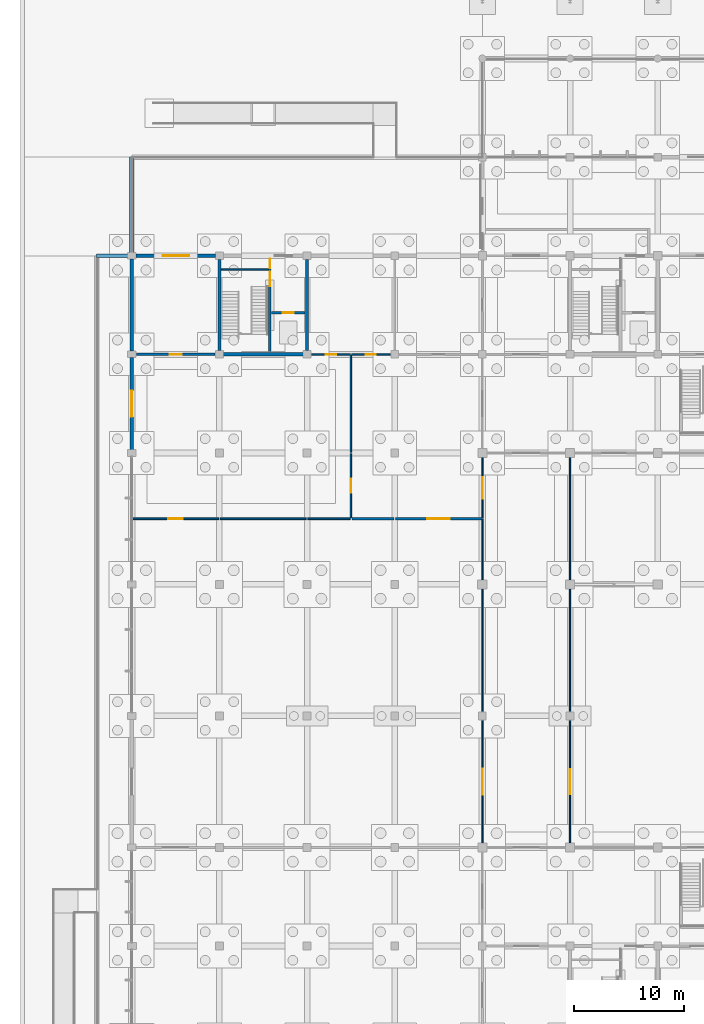
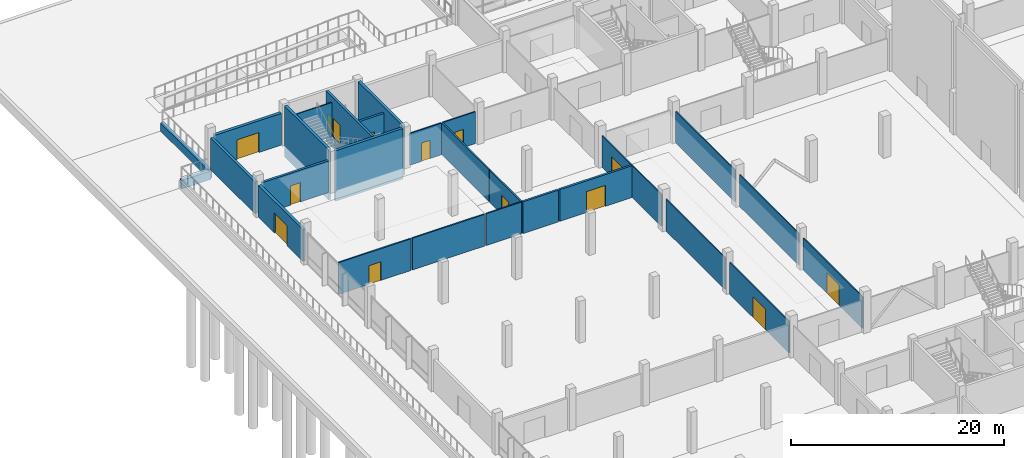
# One storey, part 47 of 72: 28 walls, 14 doors, 14 openings.
"""IFC4 building model written with IfcOpenShell, lengths in metres."""

from ifc_helpers import new_model, si_unit, direction, frame, frame_2d, origin, place, context, subcontext, project, spatial, rectangle, extrude, material, layer, layer_set, type_object, element, fill, save


model = new_model("IFC4")

# Units and contexts
model_context = context("Model", 3, precision=1e-05, world=origin(), true_north=direction((0.0, 1.0)))
body_context = subcontext(model_context, "Body", "Model", "MODEL_VIEW")
ifc_project = project(units=[si_unit("LENGTHUNIT", "METRE"), si_unit("AREAUNIT", "SQUARE_METRE"), si_unit("VOLUMEUNIT", "CUBIC_METRE"), si_unit("PLANEANGLEUNIT", "RADIAN"), si_unit("MASSUNIT", "GRAM", prefix="KILO"), si_unit("THERMODYNAMICTEMPERATUREUNIT", "KELVIN"), si_unit("POWERUNIT", "WATT")], contexts=[model_context])

# Site, building, storey
site_placement = place(None, origin())
site = spatial("IfcSite", under=ifc_project, at=site_placement, CompositionType="ELEMENT")
building_placement = place(site_placement, origin())
building = spatial("IfcBuilding", under=site, at=building_placement, Name="Kronsvod Quay Wholesale Market", CompositionType="ELEMENT")
storey_placement = place(building_placement, origin())
storey = spatial("IfcBuildingStorey", under=building, at=storey_placement, Name="L00", CompositionType="ELEMENT", Elevation=0.0)

# Walls
ifc_material_1 = material(Name="Concrete C35/45", Category="concrete")
ifc_layer_1 = layer(ifc_material_1, 0.300048828125)
ifc_layer_set_1 = layer_set([ifc_layer_1], Name="Concrete C35/45")
wall_type_1 = type_object("IfcWallType", Name="Wall_CoreShear300", PredefinedType="SHEAR", material=ifc_layer_set_1)
wall_1_placement = place(storey_placement, frame((8.344970703125, 99.0, -1.25), z_axis=(0.0, 0.0, 1.0), x_axis=(1.0, 0.0, 0.0)))
element("IfcWall", 1, at=wall_1_placement, inside=storey, type_object=wall_type_1, Name="CW-C02-L00-S", PredefinedType="SHEAR", context=body_context, shape_type="SweptSolid", body=[
    extrude(rectangle(XDim=7.31005859375, YDim=0.300048828125, at=frame_2d((3.655029296875, 0.0))), origin(), (0.0, 0.0, 1.0), 5.804931640625),
])
for number, where, z_axis, x_axis, name in (
    (2, (8.0, 99.344970703125, -1.25), (0.0, 0.0, 1.0), (0.0, 1.0, 0.0), "CW-C02-L00-W"),
    (3, (16.0, 99.344970703125, -1.25), (0.0, 0.0, 1.0), (0.0, 1.0, 0.0), "CW-C02-L00-E"),
):
    element("IfcWall", number, at=place(storey_placement, frame(where, z_axis=z_axis, x_axis=x_axis)), inside=storey, type_object=wall_type_1, Name=name, PredefinedType="SHEAR", context=body_context, shape_type="SweptSolid", body=[
        extrude(rectangle(XDim=8.31005859375, YDim=0.300048828125, at=frame_2d((4.155029296875, 0.0))), origin(), (0.0, 0.0, 1.0), 5.804931640625),
    ])

# Wall, opening, door
ifc_material_2 = material(Name="Precast concrete C40/50", Category="concrete")
ifc_layer_2 = layer(ifc_material_2, 0.300048828125)
ifc_layer_set_2 = layer_set([ifc_layer_2], Name="Precast concrete C40/50")
wall_type_2 = type_object("IfcWallType", Name="Wall_ExtPrecast300", PredefinedType="SOLIDWALL", material=ifc_layer_set_2)
wall_2_placement = place(storey_placement, frame((0.0, 98.705078125, 0.0), z_axis=(0.0, 0.0, 1.0), x_axis=(0.0, -1.0, 0.0)))
wall_2 = element("IfcWall", 4, at=wall_2_placement, inside=storey, type_object=wall_type_2, Name="EW-Y-L00-0018", PredefinedType="SOLIDWALL", context=body_context, shape_type="SweptSolid", body=[
    extrude(rectangle(XDim=8.41015625, YDim=0.300048828125, at=frame_2d((4.205078125, 0.0))), origin(), (0.0, 0.0, 1.0), 3.64990234375),
])
opening_1_placement = place(wall_2_placement, frame((3.0048828125, 0.0, 0.0)))
opening_1 = element("IfcOpeningElement", 5, at=opening_1_placement, cuts=wall_2, Name="Opening ED-013", PredefinedType="OPENING", context=body_context, shape_type="SweptSolid", body=[
    extrude(rectangle(XDim=2.39990234375, YDim=2.300048828125, at=frame_2d((1.199951171875, 1.14990234375))), frame((0.0, 0.16015625, 0.0), z_axis=(0.0, -1.0, 0.0), x_axis=(1.0, 0.0, 0.0)), (0.0, 0.0, 1.0), 0.320068359375),
])
ifc_material_3 = material(Name="Aluminium and safety glass", Category="aluminium")
door_type_1 = type_object("IfcDoorType", Name="Door_ExitDouble240x230", OperationType="DOUBLE_DOOR_SINGLE_SWING", PredefinedType="DOOR", material=ifc_material_3)
door_1_placement = place(opening_1_placement, frame((2.39990234375, 0.0, 0.0), z_axis=(0.0, 0.0, 1.0), x_axis=(-1.0, 0.0, 0.0)))
door_1 = element("IfcDoor", 6, at=door_1_placement, inside=storey, type_object=door_type_1, Name="Street Exit Door ED-013", OperationType="DOUBLE_DOOR_SINGLE_SWING", OverallHeight=2.300048828125, OverallWidth=2.39990234375, PredefinedType="DOOR", context=body_context, shape_type="SweptSolid", body=[
    extrude(rectangle(XDim=2.39990234375, YDim=2.300048828125, at=frame_2d((1.199951171875, 1.14990234375))), frame((0.0, 0.02490234375, 0.0), z_axis=(0.0, -1.0, 0.0), x_axis=(1.0, 0.0, 0.0)), (0.0, 0.0, 1.0), 0.050048828125),
])
fill(opening_1, door_1)

# Wall
wall_3_placement = place(storey_placement, frame((0.0, 107.705078125, 0.0), z_axis=(0.0, 0.0, 1.0), x_axis=(0.0, -1.0, 0.0)))
element("IfcWall", 7, at=wall_3_placement, inside=storey, type_object=wall_type_2, Name="EW-Y-L00-0019", PredefinedType="SOLIDWALL", context=body_context, shape_type="SweptSolid", body=[
    extrude(rectangle(XDim=8.41015625, YDim=0.300048828125, at=frame_2d((4.205078125, 0.0))), origin(), (0.0, 0.0, 1.0), 3.64990234375),
])

# Wall, opening, door
ifc_material_4 = material(Name="Precast concrete C40/50", Category="concrete")
ifc_layer_3 = layer(ifc_material_4, 0.320068359375)
ifc_layer_set_3 = layer_set([ifc_layer_3], Name="Precast concrete C40/50")
wall_type_3 = type_object("IfcWallType", Name="Wall_ExtPrecast320", PredefinedType="SOLIDWALL", material=ifc_layer_set_3)
wall_4_placement = place(storey_placement, frame((7.655029296875, 108.0, 0.0), z_axis=(0.0, 0.0, 1.0), x_axis=(-1.0, 0.0, 0.0)))
wall_4 = element("IfcWall", 8, at=wall_4_placement, inside=storey, type_object=wall_type_3, Name="EW-X-L00-0009", PredefinedType="SOLIDWALL", context=body_context, shape_type="SweptSolid", body=[
    extrude(rectangle(XDim=7.260009765625, YDim=0.320068359375, at=frame_2d((3.6298828125, 0.0))), origin(), (0.0, 0.0, 1.0), 3.64990234375),
])
opening_2_placement = place(wall_4_placement, frame((2.429931640625, 0.0, 0.0)))
opening_2 = element("IfcOpeningElement", 9, at=opening_2_placement, cuts=wall_4, Name="Opening ED-009", PredefinedType="OPENING", context=body_context, shape_type="SweptSolid", body=[
    extrude(rectangle(XDim=2.39990234375, YDim=2.300048828125, at=frame_2d((1.199951171875, 1.14990234375))), frame((0.0, 0.169921875, 0.0), z_axis=(0.0, -1.0, 0.0), x_axis=(1.0, 0.0, 0.0)), (0.0, 0.0, 1.0), 0.340087890625),
])
door_2_placement = place(opening_2_placement, frame((2.39990234375, 0.0, 0.0), z_axis=(0.0, 0.0, 1.0), x_axis=(-1.0, 0.0, 0.0)))
door_2 = element("IfcDoor", 10, at=door_2_placement, inside=storey, type_object=door_type_1, Name="Promenade Exit Door ED-009", OperationType="DOUBLE_DOOR_SINGLE_SWING", OverallHeight=2.300048828125, OverallWidth=2.39990234375, PredefinedType="DOOR", context=body_context, shape_type="SweptSolid", body=[
    extrude(rectangle(XDim=2.39990234375, YDim=2.300048828125, at=frame_2d((1.199951171875, 1.14990234375))), frame((0.0, 0.02490234375, 0.0), z_axis=(0.0, -1.0, 0.0), x_axis=(1.0, 0.0, 0.0)), (0.0, 0.0, 1.0), 0.050048828125),
])
fill(opening_2, door_2)

# Wall
ifc_material_5 = material(Name="Concrete C35/45", Category="concrete")
ifc_layer_4 = layer(ifc_material_5, 0.219970703125)
ifc_layer_set_4 = layer_set([ifc_layer_4], Name="Concrete C35/45")
wall_type_4 = type_object("IfcWallType", Name="Wall_FireComp220", PredefinedType="SOLIDWALL", material=ifc_layer_set_4)
wall_5_placement = place(storey_placement, frame((20.080078125, 84.0, 0.0), z_axis=(0.0, 0.0, 1.0), x_axis=(1.0, 0.0, 0.0)))
element("IfcWall", 11, at=wall_5_placement, inside=storey, type_object=wall_type_4, Name="PW-L00-0018", PredefinedType="SOLIDWALL", context=body_context, shape_type="SweptSolid", body=[
    extrude(rectangle(XDim=3.83984375, YDim=0.219970703125, at=frame_2d((1.919921875, 0.0))), origin(), (0.0, 0.0, 1.0), 3.64990234375),
])

# Wall, opening, door
wall_6_placement = place(storey_placement, frame((24.080078125, 84.0, 0.0), z_axis=(0.0, 0.0, 1.0), x_axis=(1.0, 0.0, 0.0)))
wall_6 = element("IfcWall", 12, at=wall_6_placement, inside=storey, type_object=wall_type_4, Name="PW-L00-0019", PredefinedType="SOLIDWALL", context=body_context, shape_type="SweptSolid", body=[
    extrude(rectangle(XDim=7.85986328125, YDim=0.219970703125, at=frame_2d((3.929931640625, 0.0))), origin(), (0.0, 0.0, 1.0), 3.64990234375),
])
opening_3_placement = place(wall_6_placement, frame((2.905029296875, 0.0, 0.0)))
opening_3 = element("IfcOpeningElement", 13, at=opening_3_placement, cuts=wall_6, Name="Opening D-0136", PredefinedType="OPENING", context=body_context, shape_type="SweptSolid", body=[
    extrude(rectangle(XDim=2.050048828125, YDim=2.39990234375, at=frame_2d((1.02490234375, 1.199951171875))), frame((0.0, 0.1201171875, 0.0), z_axis=(0.0, -1.0, 0.0), x_axis=(1.0, 0.0, 0.0)), (0.0, 0.0, 1.0), 0.239990234375),
])
ifc_material_6 = material(Name="Impact-protected warehouse double door", Category="steel")
door_type_2 = type_object("IfcDoorType", Name="Door_Sorting205x240", OperationType="DOUBLE_DOOR_SINGLE_SWING", PredefinedType="DOOR", material=ifc_material_6)
door_3_placement = place(opening_3_placement, origin())
door_3 = element("IfcDoor", 14, at=door_3_placement, inside=storey, type_object=door_type_2, Name="Interior Door D-0136", OperationType="DOUBLE_DOOR_SINGLE_SWING", OverallHeight=2.39990234375, OverallWidth=2.050048828125, PredefinedType="DOOR", context=body_context, shape_type="SweptSolid", body=[
    extrude(rectangle(XDim=2.050048828125, YDim=2.39990234375, at=frame_2d((1.02490234375, 1.199951171875))), frame((0.0, 0.02490234375, 0.0), z_axis=(0.0, -1.0, 0.0), x_axis=(1.0, 0.0, 0.0)), (0.0, 0.0, 1.0), 0.050048828125),
])
fill(opening_3, door_3)

ifc_material_7 = material(Name="Concrete C35/45", Category="concrete")
ifc_layer_5 = layer(ifc_material_7, 0.25)
ifc_layer_set_5 = layer_set([ifc_layer_5], Name="Concrete C35/45")
wall_type_5 = type_object("IfcWallType", Name="Wall_FireComp250", PredefinedType="SOLIDWALL", material=ifc_layer_set_5)
wall_7_placement = place(storey_placement, frame((0.419921875, 99.0, 0.0), z_axis=(0.0, 0.0, 1.0), x_axis=(1.0, 0.0, 0.0)))
wall_7 = element("IfcWall", 15, at=wall_7_placement, inside=storey, type_object=wall_type_5, Name="PW-L00-0025", PredefinedType="SOLIDWALL", context=body_context, shape_type="SweptSolid", body=[
    extrude(rectangle(XDim=7.16015625, YDim=0.25, at=frame_2d((3.580078125, 0.0))), origin(), (0.0, 0.0, 1.0), 3.64990234375),
])
opening_4_placement = place(wall_7_placement, frame((3.030029296875, 0.0, 0.0)))
opening_4 = element("IfcOpeningElement", 16, at=opening_4_placement, cuts=wall_7, Name="Opening D-0139", PredefinedType="OPENING", context=body_context, shape_type="SweptSolid", body=[
    extrude(rectangle(XDim=1.10009765625, YDim=2.219970703125, at=frame_2d((0.550048828125, 1.10986328125))), frame((0.0, 0.135009765625, 0.0), z_axis=(0.0, -1.0, 0.0), x_axis=(1.0, 0.0, 0.0)), (0.0, 0.0, 1.0), 0.27001953125),
])
ifc_material_8 = material(Name="Fire-rated steel command room door", Category="steel")
door_type_3 = type_object("IfcDoorType", Name="Door_FireCmd110x222", OperationType="NOTDEFINED", PredefinedType="DOOR", material=ifc_material_8)
door_4_placement = place(opening_4_placement, origin())
door_4 = element("IfcDoor", 17, at=door_4_placement, inside=storey, type_object=door_type_3, Name="Interior Door D-0139", OperationType="SINGLE_SWING_LEFT", OverallHeight=2.219970703125, OverallWidth=1.10009765625, PredefinedType="DOOR", context=body_context, shape_type="SweptSolid", body=[
    extrude(rectangle(XDim=1.10009765625, YDim=2.219970703125, at=frame_2d((0.550048828125, 1.10986328125))), frame((0.0, 0.02490234375, 0.0), z_axis=(0.0, -1.0, 0.0), x_axis=(1.0, 0.0, 0.0)), (0.0, 0.0, 1.0), 0.050048828125),
])
fill(opening_4, door_4)

ifc_material_9 = material(Name="Double-glazed gallery screen partition", Category="glass")
ifc_layer_6 = layer(ifc_material_9, 0.10791015625)
ifc_layer_set_6 = layer_set([ifc_layer_6], Name="Double-glazed gallery screen partition")
wall_type_6 = type_object("IfcWallType", Name="Wall_PartGlazed108", PredefinedType="PARTITIONING", material=ifc_layer_set_6)
wall_8_placement = place(storey_placement, frame((40.0, 54.419921875, 0.0), z_axis=(0.0, 0.0, 1.0), x_axis=(0.0, 1.0, 0.0)))
wall_8 = element("IfcWall", 18, at=wall_8_placement, inside=storey, type_object=wall_type_6, Name="PW-L00-0085", PredefinedType="PARTITIONING", context=body_context, shape_type="SweptSolid", body=[
    extrude(rectangle(XDim=11.16015625, YDim=0.10791015625, at=frame_2d((5.580078125, 0.0))), origin(), (0.0, 0.0, 1.0), 3.64990234375),
])
opening_5_placement = place(wall_8_placement, frame((4.455078125, 0.0, 0.0)))
opening_5 = element("IfcOpeningElement", 19, at=opening_5_placement, cuts=wall_8, Name="Opening D-0174", PredefinedType="OPENING", context=body_context, shape_type="SweptSolid", body=[
    extrude(rectangle(XDim=2.25, YDim=2.3798828125, at=frame_2d((1.125, 1.18994140625))), frame((0.0, 0.06396484375, 0.0), z_axis=(0.0, -1.0, 0.0), x_axis=(1.0, 0.0, 0.0)), (0.0, 0.0, 1.0), 0.1279296875),
])
ifc_material_10 = material(Name="Glazed aluminium hall portal", Category="aluminium")
door_type_4 = type_object("IfcDoorType", Name="Door_HallPortal225x238", OperationType="DOUBLE_DOOR_SINGLE_SWING", PredefinedType="DOOR", material=ifc_material_10)
door_5_placement = place(opening_5_placement, origin())
door_5 = element("IfcDoor", 20, at=door_5_placement, inside=storey, type_object=door_type_4, Name="Interior Door D-0174", OperationType="DOUBLE_DOOR_SINGLE_SWING", OverallHeight=2.3798828125, OverallWidth=2.25, PredefinedType="DOOR", context=body_context, shape_type="SweptSolid", body=[
    extrude(rectangle(XDim=2.25, YDim=2.3798828125, at=frame_2d((1.125, 1.18994140625))), frame((0.0, 0.02490234375, 0.0), z_axis=(0.0, -1.0, 0.0), x_axis=(1.0, 0.0, 0.0)), (0.0, 0.0, 1.0), 0.050048828125),
])
fill(opening_5, door_5)

# Walls
for number, where, z_axis, x_axis, name in (
    (21, (40.0, 66.419921875, 0.0), (0.0, 0.0, 1.0), (0.0, 1.0, 0.0), "PW-L00-0086"),
    (22, (40.0, 78.419921875, 0.0), (0.0, 0.0, 1.0), (0.0, 1.0, 0.0), "PW-L00-0087"),
):
    element("IfcWall", number, at=place(storey_placement, frame(where, z_axis=z_axis, x_axis=x_axis)), inside=storey, type_object=wall_type_6, Name=name, PredefinedType="PARTITIONING", context=body_context, shape_type="SweptSolid", body=[
        extrude(rectangle(XDim=11.16015625, YDim=0.10791015625, at=frame_2d((5.580078125, 0.0))), origin(), (0.0, 0.0, 1.0), 3.64990234375),
    ])

# Wall, opening, door
ifc_material_11 = material(Name="Framed acoustic glass hall partition", Category="glass")
ifc_layer_7 = layer(ifc_material_11, 0.114990234375)
ifc_layer_set_7 = layer_set([ifc_layer_7], Name="Framed acoustic glass hall partition")
wall_type_7 = type_object("IfcWallType", Name="Wall_PartGlazed115", PredefinedType="PARTITIONING", material=ifc_layer_set_7)
wall_9_placement = place(storey_placement, frame((32.0, 54.419921875, 0.0), z_axis=(0.0, 0.0, 1.0), x_axis=(0.0, 1.0, 0.0)))
wall_9 = element("IfcWall", 23, at=wall_9_placement, inside=storey, type_object=wall_type_7, Name="PW-L00-0020", PredefinedType="PARTITIONING", context=body_context, shape_type="SweptSolid", body=[
    extrude(rectangle(XDim=11.16015625, YDim=0.114990234375, at=frame_2d((5.580078125, 0.0))), origin(), (0.0, 0.0, 1.0), 3.64990234375),
])
opening_6_placement = place(wall_9_placement, frame((4.3798828125, 0.0, 0.0)))
opening_6 = element("IfcOpeningElement", 24, at=opening_6_placement, cuts=wall_9, Name="Opening D-0137", PredefinedType="OPENING", context=body_context, shape_type="SweptSolid", body=[
    extrude(rectangle(XDim=2.39990234375, YDim=2.39990234375, at=frame_2d((1.199951171875, 1.199951171875))), frame((0.0, 0.0673828125, 0.0), z_axis=(0.0, -1.0, 0.0), x_axis=(1.0, 0.0, 0.0)), (0.0, 0.0, 1.0), 0.135009765625),
])
ifc_material_12 = material(Name="Glazed aluminium hall portal", Category="aluminium")
door_type_5 = type_object("IfcDoorType", Name="Door_HallPortal240x240", OperationType="DOUBLE_DOOR_SINGLE_SWING", PredefinedType="DOOR", material=ifc_material_12)
door_6_placement = place(opening_6_placement, origin())
door_6 = element("IfcDoor", 25, at=door_6_placement, inside=storey, type_object=door_type_5, Name="Interior Door D-0137", OperationType="DOUBLE_DOOR_SINGLE_SWING", OverallHeight=2.39990234375, OverallWidth=2.39990234375, PredefinedType="DOOR", context=body_context, shape_type="SweptSolid", body=[
    extrude(rectangle(XDim=2.39990234375, YDim=2.39990234375, at=frame_2d((1.199951171875, 1.199951171875))), frame((0.0, 0.02490234375, 0.0), z_axis=(0.0, -1.0, 0.0), x_axis=(1.0, 0.0, 0.0)), (0.0, 0.0, 1.0), 0.050048828125),
])
fill(opening_6, door_6)

# Walls
wall_10_placement = place(storey_placement, frame((32.0, 66.419921875, 0.0), z_axis=(0.0, 0.0, 1.0), x_axis=(0.0, 1.0, 0.0)))
element("IfcWall", 26, at=wall_10_placement, inside=storey, type_object=wall_type_7, Name="PW-L00-0021", PredefinedType="PARTITIONING", context=body_context, shape_type="SweptSolid", body=[
    extrude(rectangle(XDim=11.16015625, YDim=0.114990234375, at=frame_2d((5.580078125, 0.0))), origin(), (0.0, 0.0, 1.0), 3.64990234375),
])
wall_11_placement = place(storey_placement, frame((32.0, 78.419921875, 0.0), z_axis=(0.0, 0.0, 1.0), x_axis=(0.0, 1.0, 0.0)))
element("IfcWall", 27, at=wall_11_placement, inside=storey, type_object=wall_type_7, Name="PW-L00-0022", PredefinedType="PARTITIONING", context=body_context, shape_type="SweptSolid", body=[
    extrude(rectangle(XDim=5.52001953125, YDim=0.114990234375, at=frame_2d((2.760009765625, 0.0))), origin(), (0.0, 0.0, 1.0), 3.64990234375),
])

# Wall, opening, door
wall_12_placement = place(storey_placement, frame((32.0, 84.06005859375, 0.0), z_axis=(0.0, 0.0, 1.0), x_axis=(0.0, 1.0, 0.0)))
wall_12 = element("IfcWall", 28, at=wall_12_placement, inside=storey, type_object=wall_type_7, Name="PW-L00-0029", PredefinedType="PARTITIONING", context=body_context, shape_type="SweptSolid", body=[
    extrude(rectangle(XDim=5.52001953125, YDim=0.114990234375, at=frame_2d((2.760009765625, 0.0))), origin(), (0.0, 0.0, 1.0), 3.64990234375),
])
opening_7_placement = place(wall_12_placement, frame((1.784912109375, 0.0, 0.0)))
opening_7 = element("IfcOpeningElement", 29, at=opening_7_placement, cuts=wall_12, Name="Opening D-0143", PredefinedType="OPENING", context=body_context, shape_type="SweptSolid", body=[
    extrude(rectangle(XDim=1.949951171875, YDim=2.300048828125, at=frame_2d((0.97509765625, 1.14990234375))), frame((0.0, 0.0673828125, 0.0), z_axis=(0.0, -1.0, 0.0), x_axis=(1.0, 0.0, 0.0)), (0.0, 0.0, 1.0), 0.135009765625),
])
ifc_material_13 = material(Name="Glazed aluminium hall portal", Category="aluminium")
door_type_6 = type_object("IfcDoorType", Name="Door_HallPortal195x230", OperationType="DOUBLE_DOOR_SINGLE_SWING", PredefinedType="DOOR", material=ifc_material_13)
door_7_placement = place(opening_7_placement, origin())
door_7 = element("IfcDoor", 30, at=door_7_placement, inside=storey, type_object=door_type_6, Name="Interior Door D-0143", OperationType="DOUBLE_DOOR_SINGLE_SWING", OverallHeight=2.300048828125, OverallWidth=1.949951171875, PredefinedType="DOOR", context=body_context, shape_type="SweptSolid", body=[
    extrude(rectangle(XDim=1.949951171875, YDim=2.300048828125, at=frame_2d((0.97509765625, 1.14990234375))), frame((0.0, 0.02490234375, 0.0), z_axis=(0.0, -1.0, 0.0), x_axis=(1.0, 0.0, 0.0)), (0.0, 0.0, 1.0), 0.050048828125),
])
fill(opening_7, door_7)

ifc_material_14 = material(Name="Hygienic washable laboratory partition")
ifc_layer_8 = layer(ifc_material_14, 0.14990234375)
ifc_layer_set_8 = layer_set([ifc_layer_8], Name="Hygienic washable laboratory partition")
wall_type_8 = type_object("IfcWallType", Name="Wall_PartLab150", PredefinedType="PARTITIONING", material=ifc_layer_set_8)
wall_13_placement = place(storey_placement, frame((0.06005859375, 84.0, 0.0), z_axis=(0.0, 0.0, 1.0), x_axis=(1.0, 0.0, 0.0)))
wall_13 = element("IfcWall", 31, at=wall_13_placement, inside=storey, type_object=wall_type_8, Name="PW-L00-0015", PredefinedType="PARTITIONING", context=body_context, shape_type="SweptSolid", body=[
    extrude(rectangle(XDim=7.85986328125, YDim=0.14990234375, at=frame_2d((3.929931640625, 0.0))), origin(), (0.0, 0.0, 1.0), 3.64990234375),
])
opening_8_placement = place(wall_13_placement, frame((3.280029296875, 0.0, 0.0)))
opening_8 = element("IfcOpeningElement", 32, at=opening_8_placement, cuts=wall_13, Name="Opening D-0135", PredefinedType="OPENING", context=body_context, shape_type="SweptSolid", body=[
    extrude(rectangle(XDim=1.300048828125, YDim=2.14990234375, at=frame_2d((0.64990234375, 1.074951171875))), frame((0.0, 0.0849609375, 0.0), z_axis=(0.0, -1.0, 0.0), x_axis=(1.0, 0.0, 0.0)), (0.0, 0.0, 1.0), 0.169921875),
])
ifc_material_15 = material(Name="Hygienic phenolic laboratory door", Category="aluminium")
door_type_7 = type_object("IfcDoorType", Name="Door_Lab130x215", OperationType="NOTDEFINED", PredefinedType="DOOR", material=ifc_material_15)
door_8_placement = place(opening_8_placement, origin())
door_8 = element("IfcDoor", 33, at=door_8_placement, inside=storey, type_object=door_type_7, Name="Interior Door D-0135", OperationType="SINGLE_SWING_LEFT", OverallHeight=2.14990234375, OverallWidth=1.300048828125, PredefinedType="DOOR", context=body_context, shape_type="SweptSolid", body=[
    extrude(rectangle(XDim=1.300048828125, YDim=2.14990234375, at=frame_2d((0.64990234375, 1.074951171875))), frame((0.0, 0.02490234375, 0.0), z_axis=(0.0, -1.0, 0.0), x_axis=(1.0, 0.0, 0.0)), (0.0, 0.0, 1.0), 0.050048828125),
])
fill(opening_8, door_8)

# Walls
wall_14_placement = place(storey_placement, frame((8.080078125, 84.0, 0.0), z_axis=(0.0, 0.0, 1.0), x_axis=(1.0, 0.0, 0.0)))
element("IfcWall", 34, at=wall_14_placement, inside=storey, type_object=wall_type_8, Name="PW-L00-0016", PredefinedType="PARTITIONING", context=body_context, shape_type="SweptSolid", body=[
    extrude(rectangle(XDim=7.83984375, YDim=0.14990234375, at=frame_2d((3.919921875, 0.0))), origin(), (0.0, 0.0, 1.0), 3.64990234375),
])
wall_15_placement = place(storey_placement, frame((16.080078125, 84.0, 0.0), z_axis=(0.0, 0.0, 1.0), x_axis=(1.0, 0.0, 0.0)))
element("IfcWall", 35, at=wall_15_placement, inside=storey, type_object=wall_type_8, Name="PW-L00-0017", PredefinedType="PARTITIONING", context=body_context, shape_type="SweptSolid", body=[
    extrude(rectangle(XDim=3.83984375, YDim=0.14990234375, at=frame_2d((1.919921875, 0.0))), origin(), (0.0, 0.0, 1.0), 3.64990234375),
])

# Wall, opening, door
wall_16_placement = place(storey_placement, frame((20.0, 84.080078125, 0.0), z_axis=(0.0, 0.0, 1.0), x_axis=(0.0, 1.0, 0.0)))
wall_16 = element("IfcWall", 36, at=wall_16_placement, inside=storey, type_object=wall_type_8, Name="PW-L00-0023", PredefinedType="PARTITIONING", context=body_context, shape_type="SweptSolid", body=[
    extrude(rectangle(XDim=5.85986328125, YDim=0.14990234375, at=frame_2d((2.929931640625, 0.0))), origin(), (0.0, 0.0, 1.0), 3.64990234375),
])
opening_9_placement = place(wall_16_placement, frame((2.280029296875, 0.0, 0.0)))
opening_9 = element("IfcOpeningElement", 37, at=opening_9_placement, cuts=wall_16, Name="Opening D-0138", PredefinedType="OPENING", context=body_context, shape_type="SweptSolid", body=[
    extrude(rectangle(XDim=1.300048828125, YDim=2.14990234375, at=frame_2d((0.64990234375, 1.074951171875))), frame((0.0, 0.0849609375, 0.0), z_axis=(0.0, -1.0, 0.0), x_axis=(1.0, 0.0, 0.0)), (0.0, 0.0, 1.0), 0.169921875),
])
door_9_placement = place(opening_9_placement, origin())
door_9 = element("IfcDoor", 38, at=door_9_placement, inside=storey, type_object=door_type_7, Name="Interior Door D-0138", OperationType="SINGLE_SWING_RIGHT", OverallHeight=2.14990234375, OverallWidth=1.300048828125, PredefinedType="DOOR", context=body_context, shape_type="SweptSolid", body=[
    extrude(rectangle(XDim=1.300048828125, YDim=2.14990234375, at=frame_2d((0.64990234375, 1.074951171875))), frame((0.0, 0.02490234375, 0.0), z_axis=(0.0, -1.0, 0.0), x_axis=(1.0, 0.0, 0.0)), (0.0, 0.0, 1.0), 0.050048828125),
])
fill(opening_9, door_9)

# Walls
wall_17_placement = place(storey_placement, frame((20.0, 90.06005859375, 0.0), z_axis=(0.0, 0.0, 1.0), x_axis=(0.0, 1.0, 0.0)))
element("IfcWall", 39, at=wall_17_placement, inside=storey, type_object=wall_type_8, Name="PW-L00-0024", PredefinedType="PARTITIONING", context=body_context, shape_type="SweptSolid", body=[
    extrude(rectangle(XDim=8.8798828125, YDim=0.14990234375, at=frame_2d((4.43994140625, 0.0))), origin(), (0.0, 0.0, 1.0), 3.64990234375),
])
ifc_material_16 = material(Name="Fire-rated shaft riser block wall", Category="masonry")
ifc_layer_9 = layer(ifc_material_16, 0.1298828125)
ifc_layer_set_9 = layer_set([ifc_layer_9], Name="Fire-rated shaft riser block wall")
wall_type_9 = type_object("IfcWallType", Name="Wall_PartRiser130", PredefinedType="PARTITIONING", material=ifc_layer_set_9)
wall_18_placement = place(storey_placement, frame((8.179931640625, 106.75, 0.0), z_axis=(0.0, 0.0, 1.0), x_axis=(1.0, 0.0, 0.0)))
element("IfcWall", 40, at=wall_18_placement, inside=storey, type_object=wall_type_9, Name="CW-C02-L00-RSR", PredefinedType="PARTITIONING", context=body_context, shape_type="SweptSolid", body=[
    extrude(rectangle(XDim=4.280029296875, YDim=0.1298828125, at=frame_2d((2.14013671875, 0.0))), origin(), (0.0, 0.0, 1.0), 3.905029296875),
])

# Wall, opening, door
ifc_material_17 = material(Name="Moisture-resistant sanitary block partition", Category="masonry")
ifc_layer_10 = layer(ifc_material_17, 0.135009765625)
ifc_layer_set_10 = layer_set([ifc_layer_10], Name="Moisture-resistant sanitary block partition")
wall_type_10 = type_object("IfcWallType", Name="Wall_PartWet135", PredefinedType="PLUMBINGWALL", material=ifc_layer_set_10)
wall_19_placement = place(storey_placement, frame((16.419921875, 99.0, 0.0), z_axis=(0.0, 0.0, 1.0), x_axis=(1.0, 0.0, 0.0)))
wall_19 = element("IfcWall", 41, at=wall_19_placement, inside=storey, type_object=wall_type_10, Name="PW-L00-0026", PredefinedType="PLUMBINGWALL", context=body_context, shape_type="SweptSolid", body=[
    extrude(rectangle(XDim=3.52001953125, YDim=0.135009765625, at=frame_2d((1.760009765625, 0.0))), origin(), (0.0, 0.0, 1.0), 3.64990234375),
])
opening_10_placement = place(wall_19_placement, frame((1.284912109375, 0.0, 0.0)))
opening_10 = element("IfcOpeningElement", 42, at=opening_10_placement, cuts=wall_19, Name="Opening D-0140", PredefinedType="OPENING", context=body_context, shape_type="SweptSolid", body=[
    extrude(rectangle(XDim=0.949951171875, YDim=2.10009765625, at=frame_2d((0.47509765625, 1.050048828125))), frame((0.0, 0.07763671875, 0.0), z_axis=(0.0, -1.0, 0.0), x_axis=(1.0, 0.0, 0.0)), (0.0, 0.0, 1.0), 0.155029296875),
])
ifc_material_18 = material(Name="Moisture-resistant laminate door", Category="wood")
door_type_8 = type_object("IfcDoorType", Name="Door_WC95x210", OperationType="NOTDEFINED", PredefinedType="DOOR", material=ifc_material_18)
door_10_placement = place(opening_10_placement, origin())
door_10 = element("IfcDoor", 43, at=door_10_placement, inside=storey, type_object=door_type_8, Name="Interior Door D-0140", OperationType="SINGLE_SWING_RIGHT", OverallHeight=2.10009765625, OverallWidth=0.949951171875, PredefinedType="DOOR", context=body_context, shape_type="SweptSolid", body=[
    extrude(rectangle(XDim=0.949951171875, YDim=2.10009765625, at=frame_2d((0.47509765625, 1.050048828125))), frame((0.0, 0.02490234375, 0.0), z_axis=(0.0, -1.0, 0.0), x_axis=(1.0, 0.0, 0.0)), (0.0, 0.0, 1.0), 0.050048828125),
])
fill(opening_10, door_10)

wall_20_placement = place(storey_placement, frame((20.06005859375, 99.0, 0.0), z_axis=(0.0, 0.0, 1.0), x_axis=(1.0, 0.0, 0.0)))
wall_20 = element("IfcWall", 44, at=wall_20_placement, inside=storey, type_object=wall_type_10, Name="PW-L00-0027", PredefinedType="PLUMBINGWALL", context=body_context, shape_type="SweptSolid", body=[
    extrude(rectangle(XDim=3.52001953125, YDim=0.135009765625, at=frame_2d((1.760009765625, 0.0))), origin(), (0.0, 0.0, 1.0), 3.64990234375),
])
opening_11_placement = place(wall_20_placement, frame((1.300048828125, 0.0, 0.0)))
opening_11 = element("IfcOpeningElement", 45, at=opening_11_placement, cuts=wall_20, Name="Opening D-0141", PredefinedType="OPENING", context=body_context, shape_type="SweptSolid", body=[
    extrude(rectangle(XDim=0.919921875, YDim=2.080078125, at=frame_2d((0.4599609375, 1.0400390625))), frame((0.0, 0.07763671875, 0.0), z_axis=(0.0, -1.0, 0.0), x_axis=(1.0, 0.0, 0.0)), (0.0, 0.0, 1.0), 0.155029296875),
])
ifc_material_19 = material(Name="Moisture-resistant laminate door", Category="wood")
door_type_9 = type_object("IfcDoorType", Name="Door_WC92x208", OperationType="NOTDEFINED", PredefinedType="DOOR", material=ifc_material_19)
door_11_placement = place(opening_11_placement, origin())
door_11 = element("IfcDoor", 46, at=door_11_placement, inside=storey, type_object=door_type_9, Name="Interior Door D-0141", OperationType="SINGLE_SWING_LEFT", OverallHeight=2.080078125, OverallWidth=0.919921875, PredefinedType="DOOR", context=body_context, shape_type="SweptSolid", body=[
    extrude(rectangle(XDim=0.919921875, YDim=2.080078125, at=frame_2d((0.4599609375, 1.0400390625))), frame((0.0, 0.02490234375, 0.0), z_axis=(0.0, -1.0, 0.0), x_axis=(1.0, 0.0, 0.0)), (0.0, 0.0, 1.0), 0.050048828125),
])
fill(opening_11, door_11)

# Walls
ifc_material_20 = material(Name="Precast concrete C40/50", Category="concrete")
ifc_layer_11 = layer(ifc_material_20, 0.35009765625)
ifc_layer_set_11 = layer_set([ifc_layer_11], Name="Precast concrete C40/50")
wall_type_11 = type_object("IfcWallType", Name="Wall_PlinthSkirt350", PredefinedType="STANDARD", material=ifc_layer_set_11)
wall_21_placement = place(storey_placement, frame((-3.199951171875, 108.0, -1.25), z_axis=(0.0, 0.0, 1.0), x_axis=(1.0, 0.0, 0.0)))
element("IfcWall", 47, at=wall_21_placement, inside=storey, type_object=wall_type_11, Name="RW-WDK3", PredefinedType="STANDARD", context=body_context, shape_type="SweptSolid", body=[
    extrude(rectangle(XDim=3.199951171875, YDim=0.35009765625, at=frame_2d((1.60009765625, 0.0))), origin(), (0.0, 0.0, 1.0), 0.969970703125),
])
ifc_material_21 = material(Name="Precast concrete C40/50", Category="concrete")
ifc_layer_12 = layer(ifc_material_21, 0.39990234375)
ifc_layer_set_12 = layer_set([ifc_layer_12], Name="Precast concrete C40/50")
wall_type_12 = type_object("IfcWallType", Name="Wall_PlinthSkirt400", PredefinedType="STANDARD", material=ifc_layer_set_12)
wall_22_placement = place(storey_placement, frame((0.0, 108.0, -1.25), z_axis=(0.0, 0.0, 1.0), x_axis=(0.0, 1.0, 0.0)))
element("IfcWall", 48, at=wall_22_placement, inside=storey, type_object=wall_type_12, Name="RW-WNW1", PredefinedType="STANDARD", context=body_context, shape_type="SweptSolid", body=[
    extrude(rectangle(XDim=9.0, YDim=0.39990234375, at=frame_2d((4.5, 0.0))), origin(), (0.0, 0.0, 1.0), 0.969970703125),
])

# Wall, openings, doors
ifc_material_22 = material(Name="Concrete C35/45", Category="concrete")
ifc_layer_13 = layer(ifc_material_22, 0.239990234375)
ifc_layer_set_13 = layer_set([ifc_layer_13], Name="Concrete C35/45")
wall_type_13 = type_object("IfcWallType", Name="Wall_ShaftWall240", PredefinedType="SHEAR", material=ifc_layer_set_13)
wall_23_placement = place(storey_placement, frame((12.60009765625, 99.179931640625, -1.25), z_axis=(0.0, 0.0, 1.0), x_axis=(0.0, 1.0, 0.0)))
wall_23 = element("IfcWall", 49, at=wall_23_placement, inside=storey, type_object=wall_type_13, Name="CW-C02-L00-DIV", PredefinedType="SHEAR", context=body_context, shape_type="SweptSolid", body=[
    extrude(rectangle(XDim=8.64013671875, YDim=0.239990234375, at=frame_2d((4.320068359375, 0.0))), origin(), (0.0, 0.0, 1.0), 5.804931640625),
])
opening_12_placement = place(wall_23_placement, frame((6.02001953125, 0.0, 1.25)))
opening_12 = element("IfcOpeningElement", 50, at=opening_12_placement, cuts=wall_23, Name="Opening D-0009", PredefinedType="OPENING", context=body_context, shape_type="SweptSolid", body=[
    extrude(rectangle(XDim=1.35009765625, YDim=2.199951171875, at=frame_2d((0.675048828125, 1.10009765625))), frame((0.0, 0.1298828125, 0.0), z_axis=(0.0, -1.0, 0.0), x_axis=(1.0, 0.0, 0.0)), (0.0, 0.0, 1.0), 0.260009765625),
])
opening_13_placement = place(wall_23_placement, frame((7.679931640625, 0.0, 1.25)))
opening_13 = element("IfcOpeningElement", 51, at=opening_13_placement, cuts=wall_23, Name="Opening D-0010", PredefinedType="OPENING", context=body_context, shape_type="SweptSolid", body=[
    extrude(rectangle(XDim=0.8798828125, YDim=2.02001953125, at=frame_2d((0.43994140625, 1.010009765625))), frame((0.0, 0.1298828125, 0.0), z_axis=(0.0, -1.0, 0.0), x_axis=(1.0, 0.0, 0.0)), (0.0, 0.0, 1.0), 0.260009765625),
])
ifc_material_23 = material(Name="Painted galvanized fire steel", Category="steel")
door_type_10 = type_object("IfcDoorType", Name="Door_FireStair135x220", OperationType="NOTDEFINED", PredefinedType="DOOR", material=ifc_material_23)
door_12_placement = place(opening_12_placement, origin())
door_12 = element("IfcDoor", 52, at=door_12_placement, inside=storey, type_object=door_type_10, Name="Stair Fire Door D-0009", OperationType="SINGLE_SWING_LEFT", OverallHeight=2.199951171875, OverallWidth=1.35009765625, PredefinedType="DOOR", context=body_context, shape_type="SweptSolid", body=[
    extrude(rectangle(XDim=1.35009765625, YDim=2.199951171875, at=frame_2d((0.675048828125, 1.10009765625))), frame((0.0, 0.02490234375, 0.0), z_axis=(0.0, -1.0, 0.0), x_axis=(1.0, 0.0, 0.0)), (0.0, 0.0, 1.0), 0.050048828125),
])
fill(opening_12, door_12)
ifc_material_24 = material(Name="Fire-rated steel riser access door", Category="steel")
door_type_11 = type_object("IfcDoorType", Name="Door_Riser88x202", OperationType="NOTDEFINED", PredefinedType="DOOR", material=ifc_material_24)
door_13_placement = place(opening_13_placement, origin())
door_13 = element("IfcDoor", 53, at=door_13_placement, inside=storey, type_object=door_type_11, Name="Service Riser Door D-0010", OperationType="SINGLE_SWING_RIGHT", OverallHeight=2.02001953125, OverallWidth=0.8798828125, PredefinedType="DOOR", context=body_context, shape_type="SweptSolid", body=[
    extrude(rectangle(XDim=0.8798828125, YDim=2.02001953125, at=frame_2d((0.43994140625, 1.010009765625))), frame((0.0, 0.02490234375, 0.0), z_axis=(0.0, -1.0, 0.0), x_axis=(1.0, 0.0, 0.0)), (0.0, 0.0, 1.0), 0.050048828125),
])
fill(opening_13, door_13)

# Wall, opening, door
wall_24_placement = place(storey_placement, frame((12.75, 102.800048828125, 0.0), z_axis=(0.0, 0.0, 1.0), x_axis=(1.0, 0.0, 0.0)))
wall_24 = element("IfcWall", 54, at=wall_24_placement, inside=storey, type_object=wall_type_13, Name="CW-C02-L00-LSH", PredefinedType="SHEAR", context=body_context, shape_type="SweptSolid", body=[
    extrude(rectangle(XDim=3.070068359375, YDim=0.239990234375, at=frame_2d((1.53515625, 0.0))), origin(), (0.0, 0.0, 1.0), 3.905029296875),
])
opening_14_placement = place(wall_24_placement, frame((1.034912109375, 0.0, 0.0)))
opening_14 = element("IfcOpeningElement", 55, at=opening_14_placement, cuts=wall_24, Name="Opening D-0012", PredefinedType="OPENING", context=body_context, shape_type="SweptSolid", body=[
    extrude(rectangle(XDim=1.0, YDim=2.14990234375, at=frame_2d((0.5, 1.074951171875))), frame((0.0, 0.1298828125, 0.0), z_axis=(0.0, -1.0, 0.0), x_axis=(1.0, 0.0, 0.0)), (0.0, 0.0, 1.0), 0.260009765625),
])
ifc_material_25 = material(Name="Brushed stainless steel", Category="steel")
door_type_12 = type_object("IfcDoorType", Name="Door_LiftLandingPax", OperationType="SLIDING_TO_LEFT", PredefinedType="DOOR", material=ifc_material_25)
door_14_placement = place(opening_14_placement, origin())
door_14 = element("IfcDoor", 56, at=door_14_placement, inside=storey, type_object=door_type_12, Name="Lift Landing Door LFT-P01 L00", OperationType="SLIDING_TO_LEFT", OverallHeight=2.14990234375, OverallWidth=1.0, PredefinedType="DOOR", context=body_context, shape_type="SweptSolid", body=[
    extrude(rectangle(XDim=1.0, YDim=2.14990234375, at=frame_2d((0.5, 1.074951171875))), frame((0.0, 0.02490234375, 0.0), z_axis=(0.0, -1.0, 0.0), x_axis=(1.0, 0.0, 0.0)), (0.0, 0.0, 1.0), 0.050048828125),
])
fill(opening_14, door_14)

save(model, "model.ifc")
